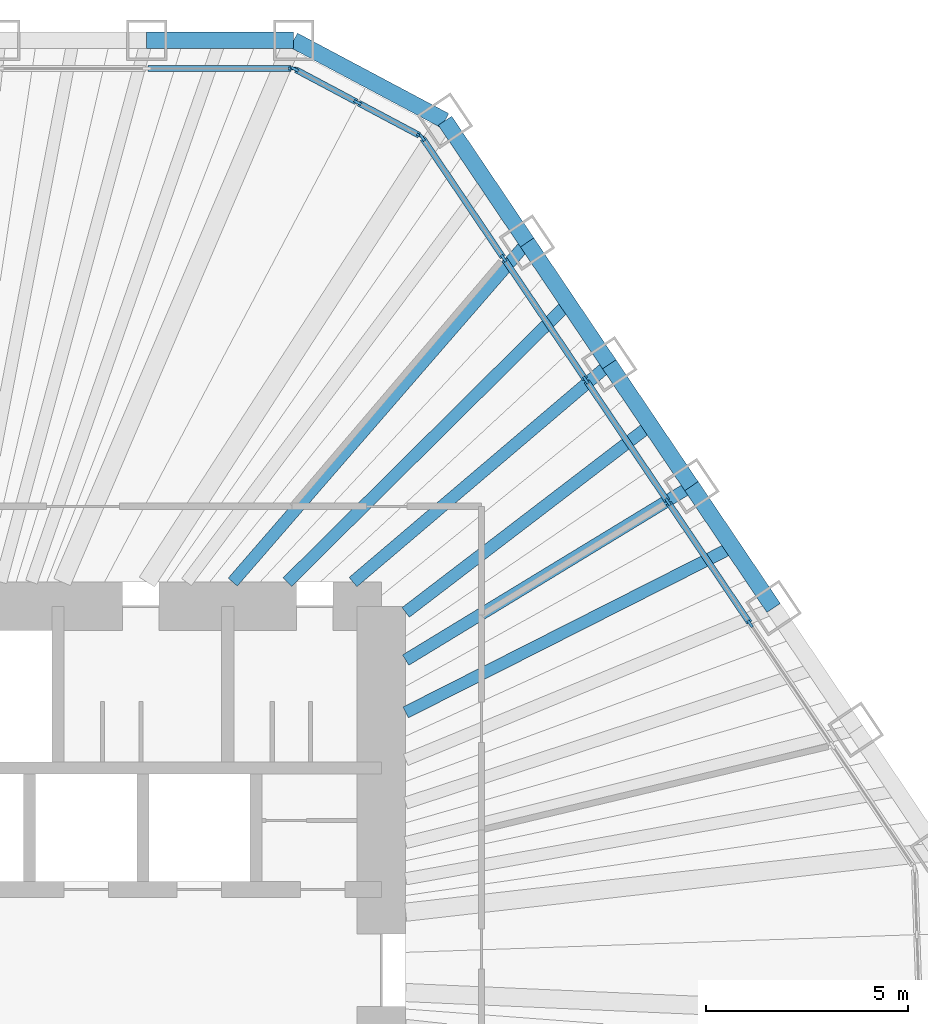
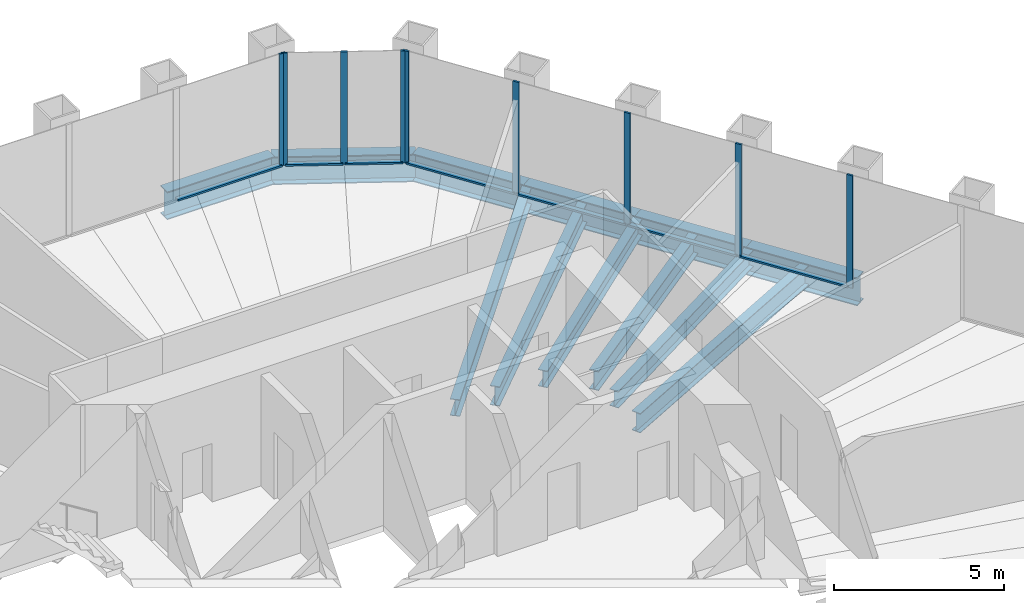
# One storey, part 7 of 14: 16 members, 12 beams, 3 elements without a shape of their own.
"""IFC4 building model written with IfcOpenShell, lengths in metres."""

from ifc_helpers import new_model, si_unit, direction, frame, origin, origin_2d, place, context, subcontext, project, spatial, rectangle, i_section, extrude, material, material_profile, profile_set, type_object, element, aggregate, save


model = new_model("IFC4")

# Units and contexts
model_context = context("Model", 3, precision=1e-05, world=origin(), true_north=direction((0.0, 1.0)))
body_context = subcontext(model_context, "Body", "Model", "MODEL_VIEW")
ifc_project = project(units=[si_unit("LENGTHUNIT", "METRE"), si_unit("AREAUNIT", "SQUARE_METRE"), si_unit("VOLUMEUNIT", "CUBIC_METRE"), si_unit("PLANEANGLEUNIT", "RADIAN"), si_unit("MASSUNIT", "GRAM", prefix="KILO")], contexts=[model_context])

# Site, building, storey
site_placement = place(None, origin())
site = spatial("IfcSite", under=ifc_project, at=site_placement, CompositionType="ELEMENT")
building_placement = place(site_placement, origin())
building = spatial("IfcBuilding", under=site, at=building_placement, Name="Qingtian Harvest Tower", CompositionType="ELEMENT")
storey_placement = place(building_placement, frame((0.0, 0.0, 243.39990234375)))
storey = spatial("IfcBuildingStorey", under=building, at=storey_placement, Name="L53", CompositionType="ELEMENT", Elevation=243.39990234375)

# Beams
ifc_material_1 = material(Name="Steel SN490B", Category="steel")
ifc_material_profile_1 = material_profile(ifc_material_1, i_section(OverallWidth=0.300048828125, OverallDepth=0.60009765625, WebThickness=0.011962890625, FlangeThickness=0.02001953125, at=origin_2d()), Name="H600x300x12x20")
ifc_profile_set_1 = profile_set([ifc_material_profile_1], Name="Steel SN490B")
beam_type_1 = type_object("IfcBeamType", Name="Floor beam FB3 H600x300x12x20", PredefinedType="BEAM", material=ifc_profile_set_1)
beam_1_placement = place(storey_placement, frame((15.603271484375, 17.998046875, -0.469970703125), z_axis=(-0.655048444444, -0.755586881458, 0.0), x_axis=(0.755586881458, -0.655048444444, 0.0)))
element("IfcBeam", 1, at=beam_1_placement, inside=storey, type_object=beam_type_1, Name="Floor beam FB3 NE1", PredefinedType="BEAM", context=body_context, shape_type="SweptSolid", body=[
    extrude(i_section(OverallWidth=0.300048828125, OverallDepth=0.60009765625, WebThickness=0.011962890625, FlangeThickness=0.02001953125, at=origin_2d()), origin(), (0.0, 0.0, 1.0), 11.114501953125),
])
beam_2_placement = place(storey_placement, frame((17.635009765625, 14.985595703125, -0.469970703125), z_axis=(-0.762028398305, -0.647543604846, 0.0), x_axis=(0.647543604846, -0.762028398305, 0.0)))
element("IfcBeam", 2, at=beam_2_placement, inside=storey, type_object=beam_type_1, Name="Floor beam FB3 NE2", PredefinedType="BEAM", context=body_context, shape_type="SweptSolid", body=[
    extrude(i_section(OverallWidth=0.300048828125, OverallDepth=0.60009765625, WebThickness=0.011962890625, FlangeThickness=0.02001953125, at=origin_2d()), origin(), (0.0, 0.0, 1.0), 8.31689453125),
])
beam_3_placement = place(storey_placement, frame((19.6669921875, 11.97314453125, -0.469970703125), z_axis=(-0.854163224424, -0.520004986554, 0.0), x_axis=(0.520004986554, -0.854163224424, 0.0)))
element("IfcBeam", 3, at=beam_3_placement, inside=storey, type_object=beam_type_1, Name="Floor beam FB3 NE3", PredefinedType="BEAM", context=body_context, shape_type="SweptSolid", body=[
    extrude(i_section(OverallWidth=0.300048828125, OverallDepth=0.60009765625, WebThickness=0.011962890625, FlangeThickness=0.02001953125, at=origin_2d()), origin(), (0.0, 0.0, 1.0), 8.2734375),
])
ifc_material_2 = material(Name="Steel SN490B", Category="steel")
ifc_material_profile_2 = material_profile(ifc_material_2, i_section(OverallWidth=0.300048828125, OverallDepth=0.699951171875, WebThickness=0.012939453125, FlangeThickness=0.02392578125, at=origin_2d()), Name="H700x300x13x24")
ifc_profile_set_2 = profile_set([ifc_material_profile_2], Name="Steel SN490B")
beam_type_2 = type_object("IfcBeamType", Name="Floor joist J2 H700x300x13x24", PredefinedType="JOIST", material=ifc_profile_set_2)
beam_4_placement = place(storey_placement, frame((16.619140625, 16.49169921875, -0.52001953125), z_axis=(-0.709833839663, -0.704369164622, 0.0), x_axis=(0.704369164622, -0.709833839663, 0.0)))
element("IfcBeam", 4, at=beam_4_placement, inside=storey, type_object=beam_type_2, Name="Floor joist J2 NE1", PredefinedType="JOIST", context=body_context, shape_type="SweptSolid", body=[
    extrude(i_section(OverallWidth=0.300048828125, OverallDepth=0.699951171875, WebThickness=0.012939453125, FlangeThickness=0.02392578125, at=origin_2d()), origin(), (0.0, 0.0, 1.0), 9.7841796875),
])
beam_5_placement = place(storey_placement, frame((18.651123046875, 13.4794921875, -0.52001953125), z_axis=(-0.794222288871, -0.607627316585, 0.0), x_axis=(0.607627316585, -0.794222288871, 0.0)))
element("IfcBeam", 5, at=beam_5_placement, inside=storey, type_object=beam_type_2, Name="Floor joist J2 NE2", PredefinedType="JOIST", context=body_context, shape_type="SweptSolid", body=[
    extrude(i_section(OverallWidth=0.300048828125, OverallDepth=0.699951171875, WebThickness=0.012939453125, FlangeThickness=0.02392578125, at=origin_2d()), origin(), (0.0, 0.0, 1.0), 7.618896484375),
])
beam_6_placement = place(storey_placement, frame((20.682861328125, 10.467041015625, -0.52001953125), z_axis=(-0.892244443914, -0.451552712652, 0.0), x_axis=(0.451552712652, -0.892244443914, 0.0)))
element("IfcBeam", 6, at=beam_6_placement, inside=storey, type_object=beam_type_2, Name="Floor joist J2 NE3", PredefinedType="JOIST", context=body_context, shape_type="SweptSolid", body=[
    extrude(i_section(OverallWidth=0.300048828125, OverallDepth=0.699951171875, WebThickness=0.012939453125, FlangeThickness=0.02392578125, at=origin_2d()), origin(), (0.0, 0.0, 1.0), 9.058837890625),
])

# Curtain wall, member
ifc_material_3 = material(Name="Bronze-anodised aluminium curtain wall", Category="aluminium")
curtain_wall_type = type_object("IfcCurtainWallType", Name="Curtain wall CW4 office", PredefinedType="USERDEFINED", material=ifc_material_3)
curtain_wall_1_placement = place(storey_placement, origin())
curtain_wall_1 = element("IfcCurtainWall", 7, at=curtain_wall_1_placement, inside=storey, type_object=curtain_wall_type, Name="Curtain wall CW4 L53 N0-5", ObjectType="RECESSED CURTAIN WALL", PredefinedType="USERDEFINED")
ifc_material_4 = material(Name="Bronze-anodised aluminium mullion", Category="aluminium")
ifc_material_profile_3 = material_profile(ifc_material_4, rectangle(XDim=0.06494140625, YDim=0.199951171875, at=origin_2d()), Name="AL 65x200")
ifc_profile_set_3 = profile_set([ifc_material_profile_3], Name="Bronze-anodised aluminium mullion")
member_type_1 = type_object("IfcMemberType", Name="Mullion CWM 65x200", PredefinedType="MULLION", material=ifc_profile_set_3)
member_1_placement = place(storey_placement, frame((9.796875, 22.300048828125, 0.0), z_axis=(0.0, 0.0, 1.0), x_axis=(0.0, 1.0, 0.0)))
member_1 = element("IfcMember", 8, at=member_1_placement, type_object=member_type_1, Name="CW4 mullion 7", PredefinedType="MULLION", context=body_context, shape_type="SweptSolid", body=[
    extrude(rectangle(XDim=0.06494140625, YDim=0.199951171875, at=origin_2d()), origin(), (0.0, 0.0, 1.0), 4.030029296875),
])

# Curtain wall, members
curtain_wall_2_placement = place(storey_placement, origin())
curtain_wall_2 = element("IfcCurtainWall", 9, at=curtain_wall_2_placement, inside=storey, type_object=curtain_wall_type, Name="Curtain wall CW4 L53 NC", ObjectType="RECESSED CURTAIN WALL", PredefinedType="USERDEFINED")
member_2_placement = place(storey_placement, frame((9.85791015625, 22.28466796875, 0.0), z_axis=(0.0, 0.0, 1.0), x_axis=(0.469471562786, 0.882947592859, 0.0)))
member_2 = element("IfcMember", 10, at=member_2_placement, type_object=member_type_1, Name="CW4 mullion 1", PredefinedType="MULLION", context=body_context, shape_type="SweptSolid", body=[
    extrude(rectangle(XDim=0.06494140625, YDim=0.199951171875, at=origin_2d()), origin(), (0.0, 0.0, 1.0), 4.030029296875),
])
member_3_placement = place(storey_placement, frame((11.41015625, 21.45947265625, 0.0), z_axis=(0.0, 0.0, 1.0), x_axis=(0.469471562786, 0.882947592859, 0.0)))
member_3 = element("IfcMember", 11, at=member_3_placement, type_object=member_type_1, Name="CW4 mullion 2", PredefinedType="MULLION", context=body_context, shape_type="SweptSolid", body=[
    extrude(rectangle(XDim=0.06494140625, YDim=0.199951171875, at=origin_2d()), origin(), (0.0, 0.0, 1.0), 4.030029296875),
])
member_4_placement = place(storey_placement, frame((12.96240234375, 20.634033203125, 0.0), z_axis=(0.0, 0.0, 1.0), x_axis=(0.469471562786, 0.882947592859, 0.0)))
member_4 = element("IfcMember", 12, at=member_4_placement, type_object=member_type_1, Name="CW4 mullion 3", PredefinedType="MULLION", context=body_context, shape_type="SweptSolid", body=[
    extrude(rectangle(XDim=0.06494140625, YDim=0.199951171875, at=origin_2d()), origin(), (0.0, 0.0, 1.0), 4.030029296875),
])

curtain_wall_3_placement = place(storey_placement, origin())
curtain_wall_3 = element("IfcCurtainWall", 13, at=curtain_wall_3_placement, inside=storey, type_object=curtain_wall_type, Name="Curtain wall CW4 L53 NE0-5", ObjectType="RECESSED CURTAIN WALL", PredefinedType="USERDEFINED")
member_5_placement = place(storey_placement, frame((13.00927734375, 20.592041015625, 0.0), z_axis=(0.0, 0.0, 1.0), x_axis=(0.829037572555, 0.559192903471, 0.0)))
member_5 = element("IfcMember", 14, at=member_5_placement, type_object=member_type_1, Name="CW4 mullion 1", PredefinedType="MULLION", context=body_context, shape_type="SweptSolid", body=[
    extrude(rectangle(XDim=0.06494140625, YDim=0.199951171875, at=origin_2d()), origin(), (0.0, 0.0, 1.0), 4.030029296875),
])
member_6_placement = place(storey_placement, frame((15.02294921875, 17.6064453125, 0.0), z_axis=(0.0, 0.0, 1.0), x_axis=(0.829037572555, 0.559192903471, 0.0)))
member_6 = element("IfcMember", 15, at=member_6_placement, type_object=member_type_1, Name="CW4 mullion 2", PredefinedType="MULLION", context=body_context, shape_type="SweptSolid", body=[
    extrude(rectangle(XDim=0.06494140625, YDim=0.199951171875, at=origin_2d()), origin(), (0.0, 0.0, 1.0), 4.030029296875),
])
member_7_placement = place(storey_placement, frame((17.0546875, 14.59423828125, 0.0), z_axis=(0.0, 0.0, 1.0), x_axis=(0.829037572555, 0.559192903471, 0.0)))
member_7 = element("IfcMember", 16, at=member_7_placement, type_object=member_type_1, Name="CW4 mullion 3", PredefinedType="MULLION", context=body_context, shape_type="SweptSolid", body=[
    extrude(rectangle(XDim=0.06494140625, YDim=0.199951171875, at=origin_2d()), origin(), (0.0, 0.0, 1.0), 4.030029296875),
])
member_8_placement = place(storey_placement, frame((19.086669921875, 11.581787109375, 0.0), z_axis=(0.0, 0.0, 1.0), x_axis=(0.829037572555, 0.559192903471, 0.0)))
member_8 = element("IfcMember", 17, at=member_8_placement, type_object=member_type_1, Name="CW4 mullion 4", PredefinedType="MULLION", context=body_context, shape_type="SweptSolid", body=[
    extrude(rectangle(XDim=0.06494140625, YDim=0.199951171875, at=origin_2d()), origin(), (0.0, 0.0, 1.0), 4.030029296875),
])
member_9_placement = place(storey_placement, frame((21.118408203125, 8.569580078125, 0.0), z_axis=(0.0, 0.0, 1.0), x_axis=(0.829037572555, 0.559192903471, 0.0)))
member_9 = element("IfcMember", 18, at=member_9_placement, type_object=member_type_1, Name="CW4 mullion 5", PredefinedType="MULLION", context=body_context, shape_type="SweptSolid", body=[
    extrude(rectangle(XDim=0.06494140625, YDim=0.199951171875, at=origin_2d()), origin(), (0.0, 0.0, 1.0), 4.030029296875),
])

# Beams
ifc_material_5 = material(Name="Steel SN490B", Category="steel")
ifc_material_profile_4 = material_profile(ifc_material_5, i_section(OverallWidth=0.39990234375, OverallDepth=1.0, WebThickness=0.01904296875, FlangeThickness=0.035888671875, at=origin_2d()), Name="H1000x400x19x36")
ifc_profile_set_4 = profile_set([ifc_material_profile_4], Name="Steel SN490B")
beam_type_3 = type_object("IfcBeamType", Name="Spandrel beam SB3 H1000x400x19x36", PredefinedType="SPANDREL", material=ifc_profile_set_4)
beam_7_placement = place(storey_placement, frame((6.19580078125, 23.0, -0.5), z_axis=(1.0, 0.0, 0.0), x_axis=(0.0, 1.0, 0.0)))
element("IfcBeam", 19, at=beam_7_placement, inside=storey, type_object=beam_type_3, Name="Spandrel SB3 N5", PredefinedType="SPANDREL", context=body_context, shape_type="SweptSolid", body=[
    extrude(i_section(OverallWidth=0.39990234375, OverallDepth=1.0, WebThickness=0.01904296875, FlangeThickness=0.035888671875, at=origin_2d()), origin(), (0.0, 0.0, 1.0), 3.633544921875),
])
beam_8_placement = place(storey_placement, frame((9.829345703125, 23.0, -0.5), z_axis=(0.882935902835, -0.469493547863, 0.0), x_axis=(0.469493547863, 0.882935902835, 0.0)))
element("IfcBeam", 20, at=beam_8_placement, inside=storey, type_object=beam_type_3, Name="Spandrel SB3 NC", PredefinedType="SPANDREL", context=body_context, shape_type="SweptSolid", body=[
    extrude(i_section(OverallWidth=0.39990234375, OverallDepth=1.0, WebThickness=0.01904296875, FlangeThickness=0.035888671875, at=origin_2d()), origin(), (0.0, 0.0, 1.0), 4.238037109375),
])
for number, where, z_axis, x_axis, name in (
    (21, (13.5712890625, 21.01025390625, -0.5), (0.559235108412, -0.829009103399, 0.0), (0.829009103399, 0.559235108412, 0.0), "Spandrel SB3 NE0"),
    (22, (15.603271484375, 17.998046875, -0.5), (0.55915777886, -0.829061263321, 0.0), (0.829061263321, 0.55915777886, 0.0), "Spandrel SB3 NE1"),
):
    element("IfcBeam", number, at=place(storey_placement, frame(where, z_axis=z_axis, x_axis=x_axis)), inside=storey, type_object=beam_type_3, Name=name, PredefinedType="SPANDREL", context=body_context, shape_type="SweptSolid", body=[
        extrude(i_section(OverallWidth=0.39990234375, OverallDepth=1.0, WebThickness=0.01904296875, FlangeThickness=0.035888671875, at=origin_2d()), origin(), (0.0, 0.0, 1.0), 3.633544921875),
    ])
beam_9_placement = place(storey_placement, frame((17.635009765625, 14.985595703125, -0.5), z_axis=(0.55920395902, -0.829030115385, 0.0), x_axis=(0.829030115385, 0.55920395902, 0.0)))
element("IfcBeam", 23, at=beam_9_placement, inside=storey, type_object=beam_type_3, Name="Spandrel SB3 NE2", PredefinedType="SPANDREL", context=body_context, shape_type="SweptSolid", body=[
    extrude(i_section(OverallWidth=0.39990234375, OverallDepth=1.0, WebThickness=0.01904296875, FlangeThickness=0.035888671875, at=origin_2d()), origin(), (0.0, 0.0, 1.0), 3.6337890625),
])
beam_10_placement = place(storey_placement, frame((19.6669921875, 11.97314453125, -0.5), z_axis=(0.559188928021, -0.829040254016, 0.0), x_axis=(0.829040254016, 0.559188928021, 0.0)))
element("IfcBeam", 24, at=beam_10_placement, inside=storey, type_object=beam_type_3, Name="Spandrel SB3 NE3", PredefinedType="SPANDREL", context=body_context, shape_type="SweptSolid", body=[
    extrude(i_section(OverallWidth=0.39990234375, OverallDepth=1.0, WebThickness=0.01904296875, FlangeThickness=0.035888671875, at=origin_2d()), origin(), (0.0, 0.0, 1.0), 3.63330078125),
])

# Member
ifc_material_6 = material(Name="Bronze-anodised aluminium transom", Category="aluminium")
ifc_material_profile_5 = material_profile(ifc_material_6, rectangle(XDim=0.14990234375, YDim=0.06494140625, at=origin_2d()), Name="AL 65x150")
ifc_profile_set_5 = profile_set([ifc_material_profile_5], Name="Bronze-anodised aluminium transom")
member_type_2 = type_object("IfcMemberType", Name="Transom CWT 65x150", PredefinedType="USERDEFINED", material=ifc_profile_set_5)
member_10_placement = place(storey_placement, frame((6.228271484375, 22.300048828125, 0.03271484375), z_axis=(1.0, 0.0, 0.0), x_axis=(0.0, 1.0, 0.0)))
member_10 = element("IfcMember", 25, at=member_10_placement, type_object=member_type_2, Name="CW4 transom 6.1", ObjectType="TRANSOM", PredefinedType="USERDEFINED", context=body_context, shape_type="SweptSolid", body=[
    extrude(rectangle(XDim=0.14990234375, YDim=0.06494140625, at=origin_2d()), origin(), (0.0, 0.0, 1.0), 3.5361328125),
])

aggregate(curtain_wall_1, [member_1, member_10])

member_11_placement = place(storey_placement, frame((9.88671875, 22.26953125, 0.03271484375), z_axis=(0.882927080927, -0.469510138086, 0.0), x_axis=(0.469510138086, 0.882927080927, 0.0)))
member_11 = element("IfcMember", 26, at=member_11_placement, type_object=member_type_2, Name="CW4 transom 1.1", ObjectType="TRANSOM", PredefinedType="USERDEFINED", context=body_context, shape_type="SweptSolid", body=[
    extrude(rectangle(XDim=0.14990234375, YDim=0.06494140625, at=origin_2d()), origin(), (0.0, 0.0, 1.0), 1.693115234375),
])

member_12_placement = place(storey_placement, frame((11.43896484375, 21.444091796875, 0.03271484375), z_axis=(0.882955074232, -0.469457492098, 0.0), x_axis=(0.469457492098, 0.882955074232, 0.0)))
member_12 = element("IfcMember", 27, at=member_12_placement, type_object=member_type_2, Name="CW4 transom 2.1", ObjectType="TRANSOM", PredefinedType="USERDEFINED", context=body_context, shape_type="SweptSolid", body=[
    extrude(rectangle(XDim=0.14990234375, YDim=0.06494140625, at=origin_2d()), origin(), (0.0, 0.0, 1.0), 1.69287109375),
])

aggregate(curtain_wall_2, [member_2, member_3, member_4, member_11, member_12])

member_13_placement = place(storey_placement, frame((13.02734375, 20.56494140625, 0.03271484375), z_axis=(0.559201266891, -0.829031931295, 0.0), x_axis=(0.829031931295, 0.559201266891, 0.0)))
member_13 = element("IfcMember", 28, at=member_13_placement, type_object=member_type_2, Name="CW4 transom 1.1", ObjectType="TRANSOM", PredefinedType="USERDEFINED", context=body_context, shape_type="SweptSolid", body=[
    extrude(rectangle(XDim=0.14990234375, YDim=0.06494140625, at=origin_2d()), origin(), (0.0, 0.0, 1.0), 3.535888671875),
])

member_14_placement = place(storey_placement, frame((15.041015625, 17.57958984375, 0.03271484375), z_axis=(0.559207281901, -0.829027874, 0.0), x_axis=(0.829027874, 0.559207281901, 0.0)))
member_14 = element("IfcMember", 29, at=member_14_placement, type_object=member_type_2, Name="CW4 transom 2.1", ObjectType="TRANSOM", PredefinedType="USERDEFINED", context=body_context, shape_type="SweptSolid", body=[
    extrude(rectangle(XDim=0.14990234375, YDim=0.06494140625, at=origin_2d()), origin(), (0.0, 0.0, 1.0), 3.568603515625),
])

member_15_placement = place(storey_placement, frame((17.072998046875, 14.567138671875, 0.03271484375), z_axis=(0.559191977147, -0.829038197368, 0.0), x_axis=(0.829038197368, 0.559191977147, 0.0)))
member_15 = element("IfcMember", 30, at=member_15_placement, type_object=member_type_2, Name="CW4 transom 3.1", ObjectType="TRANSOM", PredefinedType="USERDEFINED", context=body_context, shape_type="SweptSolid", body=[
    extrude(rectangle(XDim=0.14990234375, YDim=0.06494140625, at=origin_2d()), origin(), (0.0, 0.0, 1.0), 3.568359375),
])

member_16_placement = place(storey_placement, frame((19.104736328125, 11.554931640625, 0.03271484375), z_axis=(0.559207281901, -0.829027874, 0.0), x_axis=(0.829027874, 0.559207281901, 0.0)))
member_16 = element("IfcMember", 31, at=member_16_placement, type_object=member_type_2, Name="CW4 transom 4.1", ObjectType="TRANSOM", PredefinedType="USERDEFINED", context=body_context, shape_type="SweptSolid", body=[
    extrude(rectangle(XDim=0.14990234375, YDim=0.06494140625, at=origin_2d()), origin(), (0.0, 0.0, 1.0), 3.568603515625),
])

aggregate(curtain_wall_3, [member_5, member_6, member_7, member_8, member_9, member_13, member_14, member_15, member_16])

save(model, "model.ifc")
